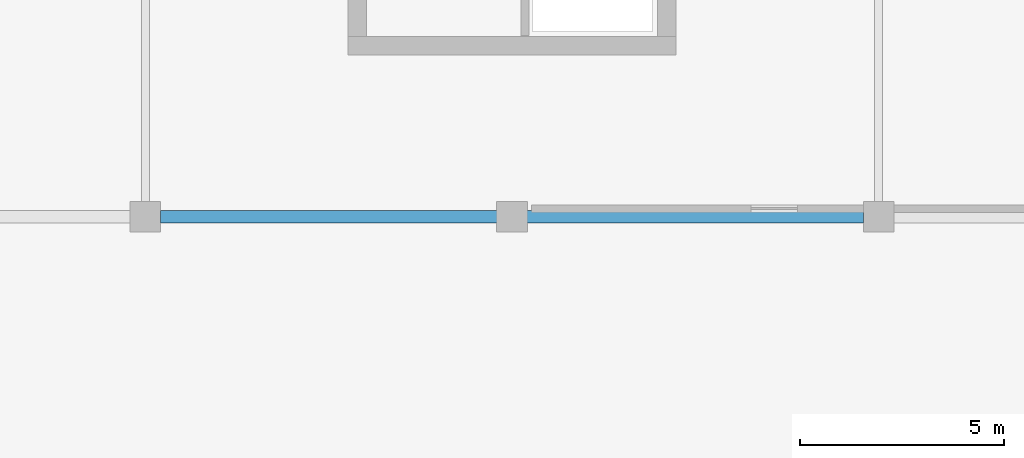
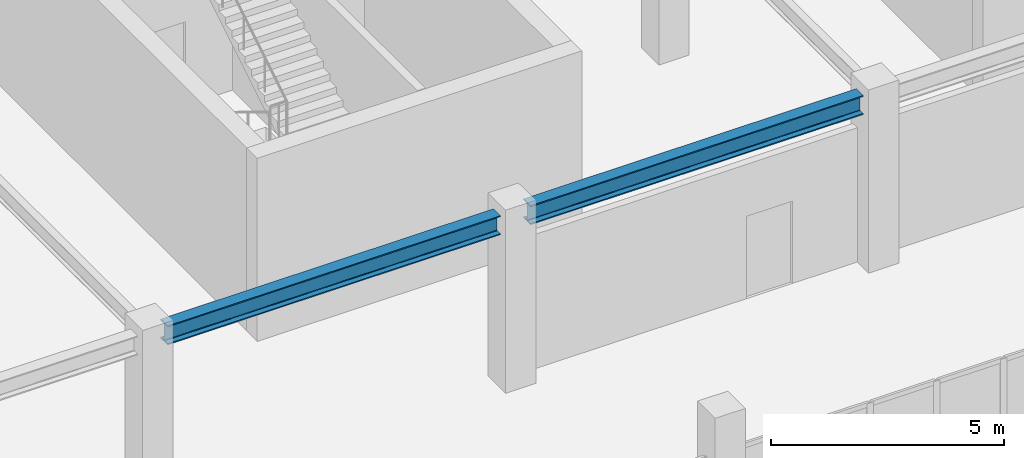
# One storey, part 16 of 89: 2 beams.
"""IFC4 building model written with IfcOpenShell, lengths in metres."""

from ifc_helpers import new_model, si_unit, direction, frame, origin, origin_2d, place, context, subcontext, project, spatial, i_section, extrude, material, material_profile, profile_set, type_object, element, save


model = new_model("IFC4")

# Units and contexts
model_context = context("Model", 3, precision=1e-05, world=origin(), true_north=direction((0.0, 1.0)))
body_context = subcontext(model_context, "Body", "Model", "MODEL_VIEW")
ifc_project = project(units=[si_unit("LENGTHUNIT", "METRE"), si_unit("AREAUNIT", "SQUARE_METRE"), si_unit("VOLUMEUNIT", "CUBIC_METRE"), si_unit("PLANEANGLEUNIT", "RADIAN"), si_unit("MASSUNIT", "GRAM", prefix="KILO")], contexts=[model_context])

# Site, building, storey
site_placement = place(None, origin())
site = spatial("IfcSite", under=ifc_project, at=site_placement, CompositionType="ELEMENT")
building_placement = place(site_placement, origin())
building = spatial("IfcBuilding", under=site, at=building_placement, Name="Dornveld Trade and Exhibition Forum", CompositionType="ELEMENT")
storey_placement = place(building_placement, frame((0.0, 0.0, 12.0)))
storey = spatial("IfcBuildingStorey", under=building, at=storey_placement, Name="L02", CompositionType="ELEMENT", Elevation=12.0)

# Beams
ifc_material = material(Name="Steel S355J2", Category="steel")
ifc_material_profile = material_profile(ifc_material, i_section(OverallWidth=0.300048828125, OverallDepth=0.5, WebThickness=0.014404296875, FlangeThickness=0.028076171875, FilletRadius=0.027099609375, at=origin_2d()), Name="HEB 500")
ifc_profile_set = profile_set([ifc_material_profile], Name="Steel S355J2")
beam_type = type_object("IfcBeamType", Name="BM-GIR-HEB500", PredefinedType="USERDEFINED", material=ifc_profile_set)
for number, where, z_axis, x_axis, name in (
    (1, (99.37109375, 45.0, 4.27001953125), (1.0, 0.0, 0.0), (0.0, 1.0, 0.0), "L02 X-girder 1468"),
    (2, (108.37109375, 45.0, 4.27001953125), (1.0, 0.0, 0.0), (0.0, 1.0, 0.0), "L02 X-girder 1469"),
):
    element("IfcBeam", number, at=place(storey_placement, frame(where, z_axis=z_axis, x_axis=x_axis)), inside=storey, type_object=beam_type, Name=name, ObjectType="GIRDER", PredefinedType="USERDEFINED", context=body_context, shape_type="SweptSolid", body=[
        extrude(i_section(OverallWidth=0.300048828125, OverallDepth=0.5, WebThickness=0.014404296875, FlangeThickness=0.028076171875, FilletRadius=0.027099609375, at=origin_2d()), origin(), (0.0, 0.0, 1.0), 8.2578125),
    ])

save(model, "model.ifc")
